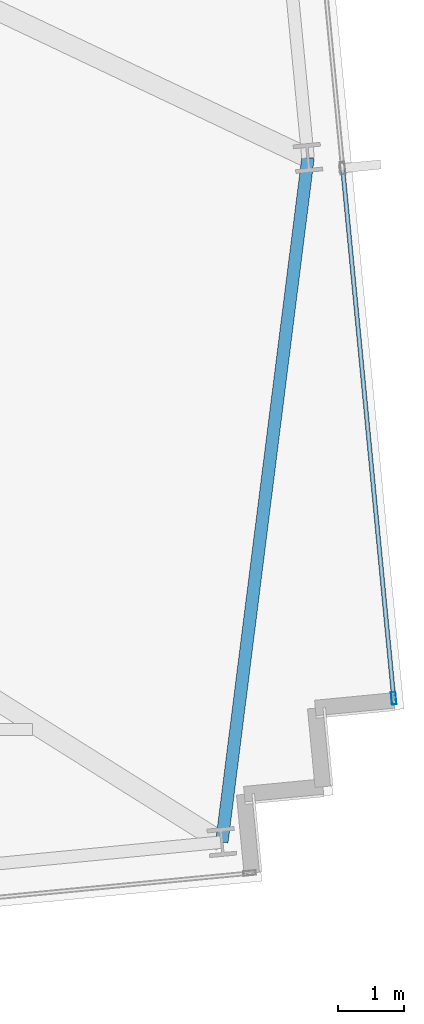
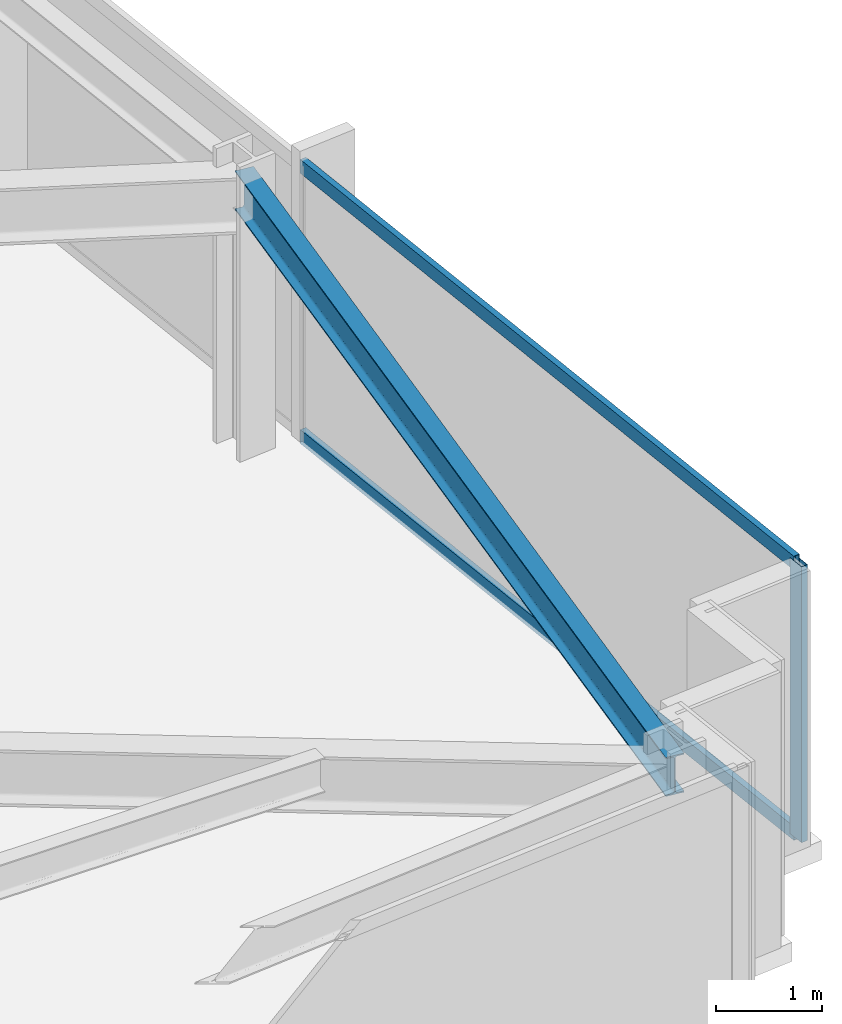
# One storey, part 14 of 32: 3 members, 1 beam, 1 element without a shape of its own.
"""IFC4 building model written with IfcOpenShell, lengths in metres."""

from ifc_helpers import new_model, si_unit, direction, frame, origin, origin_2d, place, context, subcontext, project, spatial, hollow_rectangle, i_section, extrude, material, material_profile, profile_set, type_object, element, aggregate, save


model = new_model("IFC4")

# Units and contexts
model_context = context("Model", 3, precision=1e-05, world=origin(), true_north=direction((0.0, 1.0)))
body_context = subcontext(model_context, "Body", "Model", "MODEL_VIEW")
ifc_project = project(units=[si_unit("LENGTHUNIT", "METRE"), si_unit("AREAUNIT", "SQUARE_METRE"), si_unit("VOLUMEUNIT", "CUBIC_METRE"), si_unit("PLANEANGLEUNIT", "RADIAN"), si_unit("MASSUNIT", "GRAM", prefix="KILO")], contexts=[model_context])

# Site, building, storey
site_placement = place(None, origin())
site = spatial("IfcSite", under=ifc_project, at=site_placement, CompositionType="ELEMENT")
building_placement = place(site_placement, origin())
building = spatial("IfcBuilding", under=site, at=building_placement, Name="Yelkora Congress Tower", CompositionType="ELEMENT")
storey_placement = place(building_placement, frame((0.0, 0.0, 120.300048828125)))
storey = spatial("IfcBuildingStorey", under=building, at=storey_placement, Name="L32", CompositionType="ELEMENT", Elevation=120.300048828125)

# Beam
ifc_material_1 = material(Name="Steel S355J2", Category="steel")
ifc_material_profile_1 = material_profile(ifc_material_1, i_section(OverallWidth=0.18994140625, OverallDepth=0.449951171875, WebThickness=0.009521484375, FlangeThickness=0.0146484375, FilletRadius=0.02099609375, at=origin_2d()), Name="IPE 450")
ifc_profile_set_1 = profile_set([ifc_material_profile_1], Name="Steel S355J2")
beam_type = type_object("IfcBeamType", Name="BM-SPAN-IPE450", PredefinedType="SPANDREL", material=ifc_profile_set_1)
beam_placement = place(storey_placement, frame((74.73193359375, 14.43505859375, 2.954833984375), z_axis=(0.124929198684, 0.99216565921, 0.0), x_axis=(-0.99216565921, 0.124929198684, 0.0)))
element("IfcBeam", 1, at=beam_placement, inside=storey, type_object=beam_type, Name="L32 Perimeter Beam 10", PredefinedType="SPANDREL", context=body_context, shape_type="SweptSolid", body=[
    extrude(i_section(OverallWidth=0.18994140625, OverallDepth=0.449951171875, WebThickness=0.009521484375, FlangeThickness=0.0146484375, FilletRadius=0.02099609375, at=origin_2d()), origin(), (0.0, 0.0, 1.0), 10.48046875),
])

# Curtain wall, members
ifc_material_2 = material(Name="Anodised aluminium and insulated glass", Category="aluminium")
curtain_wall_type = type_object("IfcCurtainWallType", Name="CW-SYS-B2", PredefinedType="NOTDEFINED", material=ifc_material_2)
curtain_wall_placement = place(storey_placement, origin())
curtain_wall = element("IfcCurtainWall", 2, at=curtain_wall_placement, inside=storey, type_object=curtain_wall_type, Name="L32 Unitised Curtain Wall 15", PredefinedType="NOTDEFINED")
ifc_material_3 = material(Name="Anodised aluminium 6063-T6", Category="aluminium")
ifc_material_profile_2 = material_profile(ifc_material_3, hollow_rectangle(XDim=0.070068359375, YDim=0.18994140625, WallThickness=0.00390625, at=origin_2d()), Name="ALU 70x190x4")
ifc_profile_set_2 = profile_set([ifc_material_profile_2], Name="Anodised aluminium 6063-T6")
member_type_1 = type_object("IfcMemberType", Name="MEM-ML-B2", PredefinedType="MULLION", material=ifc_profile_set_2)
member_1_placement = place(storey_placement, frame((77.34423828125, 16.62060546875, 0.0), z_axis=(0.0, 0.0, 1.0), x_axis=(0.995396507508, 0.095842541913, 0.0)))
member_1 = element("IfcMember", 3, at=member_1_placement, type_object=member_type_1, Name="CW-B2 mullion 5", PredefinedType="MULLION", context=body_context, shape_type="SweptSolid", body=[
    extrude(hollow_rectangle(XDim=0.070068359375, YDim=0.18994140625, WallThickness=0.00390625, at=origin_2d()), origin(), (0.0, 0.0, 1.0), 3.179931640625),
])
ifc_material_profile_3 = material_profile(ifc_material_3, hollow_rectangle(XDim=0.06494140625, YDim=0.159912109375, WallThickness=0.00390625, at=origin_2d()), Name="ALU 65x160x4")
ifc_profile_set_3 = profile_set([ifc_material_profile_3], Name="Anodised aluminium 6063-T6")
member_type_2 = type_object("IfcMemberType", Name="MEM-TR-B2", PredefinedType="USERDEFINED", material=ifc_profile_set_3)
member_2_placement = place(storey_placement, frame((76.57177734375, 24.6435546875, 0.032470703125), z_axis=(0.095858482834, -0.995394972495, 0.0), x_axis=(0.995394972495, 0.095858482834, 0.0)))
member_2 = element("IfcMember", 4, at=member_2_placement, type_object=member_type_2, Name="CW-B2 transom 4.1", ObjectType="TRANSOM", PredefinedType="USERDEFINED", context=body_context, shape_type="SweptSolid", body=[
    extrude(hollow_rectangle(XDim=0.06494140625, YDim=0.159912109375, WallThickness=0.00390625, at=origin_2d()), origin(), (0.0, 0.0, 1.0), 8.025146484375),
])
member_3_placement = place(storey_placement, frame((76.57177734375, 24.6435546875, 3.1474609375), z_axis=(0.095858482834, -0.995394972495, 0.0), x_axis=(0.995394972495, 0.095858482834, 0.0)))
member_3 = element("IfcMember", 5, at=member_3_placement, type_object=member_type_2, Name="CW-B2 transom 4.2", ObjectType="TRANSOM", PredefinedType="USERDEFINED", context=body_context, shape_type="SweptSolid", body=[
    extrude(hollow_rectangle(XDim=0.06494140625, YDim=0.159912109375, WallThickness=0.00390625, at=origin_2d()), origin(), (0.0, 0.0, 1.0), 8.025146484375),
])
aggregate(curtain_wall, [member_1, member_2, member_3])

save(model, "model.ifc")
